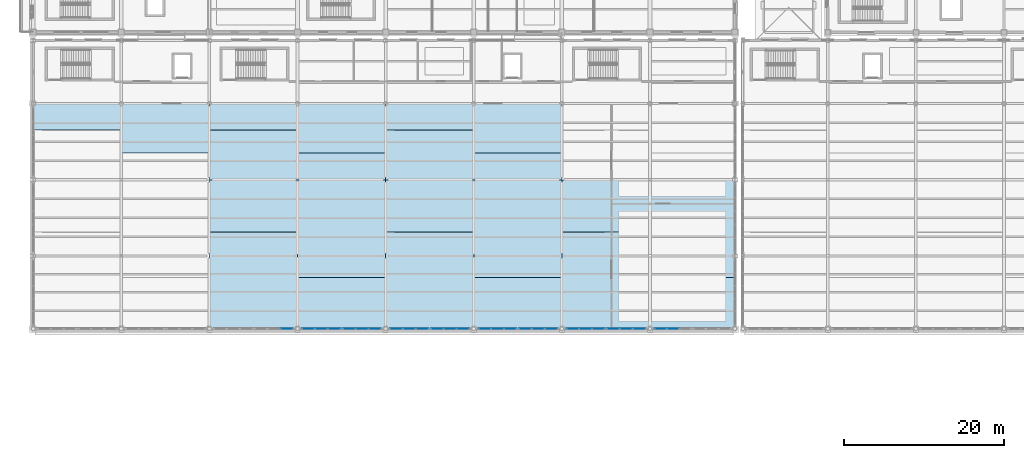
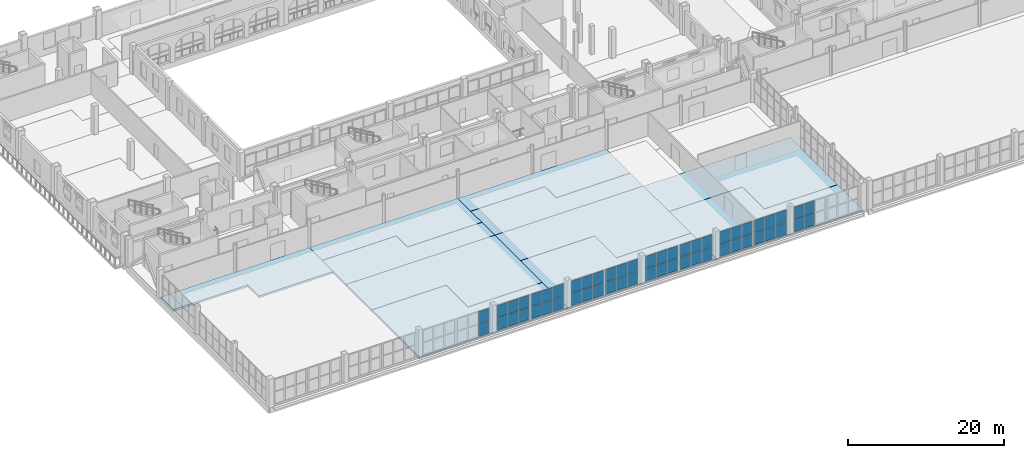
# One storey, part 102 of 156: 54 plates, 11 slabs, 10 elements without a shape of their own.
"""IFC4 building model written with IfcOpenShell, lengths in metres."""

from ifc_helpers import new_model, si_unit, direction, frame, origin, origin_2d, place, context, subcontext, project, spatial, polyline, rectangle, outline, extrude, material, layer, layer_set, type_object, element, aggregate, save


model = new_model("IFC4")

# Units and contexts
model_context = context("Model", 3, precision=1e-05, world=origin(), true_north=direction((0.0, 1.0)))
body_context = subcontext(model_context, "Body", "Model", "MODEL_VIEW")
ifc_project = project(units=[si_unit("LENGTHUNIT", "METRE"), si_unit("AREAUNIT", "SQUARE_METRE"), si_unit("VOLUMEUNIT", "CUBIC_METRE"), si_unit("PLANEANGLEUNIT", "RADIAN"), si_unit("MASSUNIT", "GRAM", prefix="KILO")], contexts=[model_context])

# Site, building, storey
site_placement = place(None, origin())
site = spatial("IfcSite", under=ifc_project, at=site_placement, CompositionType="ELEMENT")
building_placement = place(site_placement, origin())
building = spatial("IfcBuilding", under=site, at=building_placement, Name="Caurita Quay Ferry Terminal", CompositionType="ELEMENT")
storey_placement = place(building_placement, frame((0.0, 0.0, 5.39990234375)))
storey = spatial("IfcBuildingStorey", under=building, at=storey_placement, Name="L01", CompositionType="ELEMENT", Elevation=5.39990234375)

# Curtain wall, plates
ifc_material_1 = material(Name="Laminated solar-control insulated glass", Category="glass")
curtain_wall_type_1 = type_object("IfcCurtainWallType", Name="CW-SYS-08", PredefinedType="NOTDEFINED", material=ifc_material_1)
curtain_wall_1_placement = place(storey_placement, origin())
curtain_wall_1 = element("IfcCurtainWall", 1, at=curtain_wall_1_placement, inside=storey, type_object=curtain_wall_type_1, Name="V1 Waterside Concourse Curtain Wall 054", PredefinedType="NOTDEFINED")
ifc_layer_1 = layer(ifc_material_1, 0.028076171875, Name="Laminated low-e hurricane-rated glazing unit 28 mm")
ifc_layer_set_1 = layer_set([ifc_layer_1], Name="Laminated solar-control insulated glass")
plate_type = type_object("IfcPlateType", Name="CW-PNL-28", PredefinedType="CURTAIN_PANEL", material=ifc_layer_set_1)
plate_1_placement = place(storey_placement, frame((31.64794921875, 34.60009765625, 0.06298828125), z_axis=(0.0, 0.0, 1.0), x_axis=(1.0, 0.0, 0.0)))
plate_1 = element("IfcPlate", 2, at=plate_1_placement, type_object=plate_type, Name="CW-SEA-054 Glazing Panel 5", PredefinedType="CURTAIN_PANEL", context=body_context, shape_type="SweptSolid", body=[
    extrude(rectangle(XDim=1.518310546875, YDim=0.028076171875, at=origin_2d()), origin(), (0.0, 0.0, 1.0), 1.8916015625),
])
plate_2_placement = place(storey_placement, frame((31.64794921875, 34.60009765625, 2.015625), z_axis=(0.0, 0.0, 1.0), x_axis=(1.0, 0.0, 0.0)))
plate_2 = element("IfcPlate", 3, at=plate_2_placement, type_object=plate_type, Name="CW-SEA-054 Glazing Panel 6", PredefinedType="CURTAIN_PANEL", context=body_context, shape_type="SweptSolid", body=[
    extrude(rectangle(XDim=1.518310546875, YDim=0.028076171875, at=origin_2d()), origin(), (0.0, 0.0, 1.0), 1.8916015625),
])
aggregate(curtain_wall_1, [plate_1, plate_2])

curtain_wall_2_placement = place(storey_placement, origin())
curtain_wall_2 = element("IfcCurtainWall", 4, at=curtain_wall_2_placement, inside=storey, type_object=curtain_wall_type_1, Name="V1 Waterside Concourse Curtain Wall 055", PredefinedType="NOTDEFINED")
plate_3_placement = place(storey_placement, frame((34.35205078125, 34.60009765625, 0.06298828125), z_axis=(0.0, 0.0, 1.0), x_axis=(1.0, 0.0, 0.0)))
plate_3 = element("IfcPlate", 5, at=plate_3_placement, type_object=plate_type, Name="CW-SEA-055 Glazing Panel 1", PredefinedType="CURTAIN_PANEL", context=body_context, shape_type="SweptSolid", body=[
    extrude(rectangle(XDim=1.518310546875, YDim=0.028076171875, at=origin_2d()), origin(), (0.0, 0.0, 1.0), 1.8916015625),
])
plate_4_placement = place(storey_placement, frame((34.35205078125, 34.60009765625, 2.015625), z_axis=(0.0, 0.0, 1.0), x_axis=(1.0, 0.0, 0.0)))
plate_4 = element("IfcPlate", 6, at=plate_4_placement, type_object=plate_type, Name="CW-SEA-055 Glazing Panel 2", PredefinedType="CURTAIN_PANEL", context=body_context, shape_type="SweptSolid", body=[
    extrude(rectangle(XDim=1.518310546875, YDim=0.028076171875, at=origin_2d()), origin(), (0.0, 0.0, 1.0), 1.8916015625),
])
plate_5_placement = place(storey_placement, frame((35.9599609375, 34.60009765625, 0.06298828125), z_axis=(0.0, 0.0, 1.0), x_axis=(1.0, 0.0, 0.0)))
plate_5 = element("IfcPlate", 7, at=plate_5_placement, type_object=plate_type, Name="CW-SEA-055 Glazing Panel 3", PredefinedType="CURTAIN_PANEL", context=body_context, shape_type="SweptSolid", body=[
    extrude(rectangle(XDim=1.5556640625, YDim=0.028076171875, at=origin_2d()), origin(), (0.0, 0.0, 1.0), 1.8916015625),
])
plate_6_placement = place(storey_placement, frame((35.9599609375, 34.60009765625, 2.015625), z_axis=(0.0, 0.0, 1.0), x_axis=(1.0, 0.0, 0.0)))
plate_6 = element("IfcPlate", 8, at=plate_6_placement, type_object=plate_type, Name="CW-SEA-055 Glazing Panel 4", PredefinedType="CURTAIN_PANEL", context=body_context, shape_type="SweptSolid", body=[
    extrude(rectangle(XDim=1.5556640625, YDim=0.028076171875, at=origin_2d()), origin(), (0.0, 0.0, 1.0), 1.8916015625),
])
plate_7_placement = place(storey_placement, frame((37.56787109375, 34.60009765625, 0.06298828125), z_axis=(0.0, 0.0, 1.0), x_axis=(1.0, 0.0, 0.0)))
plate_7 = element("IfcPlate", 9, at=plate_7_placement, type_object=plate_type, Name="CW-SEA-055 Glazing Panel 5", PredefinedType="CURTAIN_PANEL", context=body_context, shape_type="SweptSolid", body=[
    extrude(rectangle(XDim=1.518310546875, YDim=0.028076171875, at=origin_2d()), origin(), (0.0, 0.0, 1.0), 1.8916015625),
])
plate_8_placement = place(storey_placement, frame((37.56787109375, 34.60009765625, 2.015625), z_axis=(0.0, 0.0, 1.0), x_axis=(1.0, 0.0, 0.0)))
plate_8 = element("IfcPlate", 10, at=plate_8_placement, type_object=plate_type, Name="CW-SEA-055 Glazing Panel 6", PredefinedType="CURTAIN_PANEL", context=body_context, shape_type="SweptSolid", body=[
    extrude(rectangle(XDim=1.518310546875, YDim=0.028076171875, at=origin_2d()), origin(), (0.0, 0.0, 1.0), 1.8916015625),
])
aggregate(curtain_wall_2, [plate_3, plate_4, plate_5, plate_6, plate_7, plate_8])

curtain_wall_3_placement = place(storey_placement, origin())
curtain_wall_3 = element("IfcCurtainWall", 11, at=curtain_wall_3_placement, inside=storey, type_object=curtain_wall_type_1, Name="V1 Waterside Concourse Curtain Wall 056", PredefinedType="NOTDEFINED")
plate_9_placement = place(storey_placement, frame((39.43212890625, 34.60009765625, 0.06298828125), z_axis=(0.0, 0.0, 1.0), x_axis=(1.0, 0.0, 0.0)))
plate_9 = element("IfcPlate", 12, at=plate_9_placement, type_object=plate_type, Name="CW-SEA-056 Glazing Panel 1", PredefinedType="CURTAIN_PANEL", context=body_context, shape_type="SweptSolid", body=[
    extrude(rectangle(XDim=1.518310546875, YDim=0.028076171875, at=origin_2d()), origin(), (0.0, 0.0, 1.0), 1.8916015625),
])
plate_10_placement = place(storey_placement, frame((39.43212890625, 34.60009765625, 2.015625), z_axis=(0.0, 0.0, 1.0), x_axis=(1.0, 0.0, 0.0)))
plate_10 = element("IfcPlate", 13, at=plate_10_placement, type_object=plate_type, Name="CW-SEA-056 Glazing Panel 2", PredefinedType="CURTAIN_PANEL", context=body_context, shape_type="SweptSolid", body=[
    extrude(rectangle(XDim=1.518310546875, YDim=0.028076171875, at=origin_2d()), origin(), (0.0, 0.0, 1.0), 1.8916015625),
])
plate_11_placement = place(storey_placement, frame((41.0400390625, 34.60009765625, 0.06298828125), z_axis=(0.0, 0.0, 1.0), x_axis=(1.0, 0.0, 0.0)))
plate_11 = element("IfcPlate", 14, at=plate_11_placement, type_object=plate_type, Name="CW-SEA-056 Glazing Panel 3", PredefinedType="CURTAIN_PANEL", context=body_context, shape_type="SweptSolid", body=[
    extrude(rectangle(XDim=1.5556640625, YDim=0.028076171875, at=origin_2d()), origin(), (0.0, 0.0, 1.0), 1.8916015625),
])
plate_12_placement = place(storey_placement, frame((41.0400390625, 34.60009765625, 2.015625), z_axis=(0.0, 0.0, 1.0), x_axis=(1.0, 0.0, 0.0)))
plate_12 = element("IfcPlate", 15, at=plate_12_placement, type_object=plate_type, Name="CW-SEA-056 Glazing Panel 4", PredefinedType="CURTAIN_PANEL", context=body_context, shape_type="SweptSolid", body=[
    extrude(rectangle(XDim=1.5556640625, YDim=0.028076171875, at=origin_2d()), origin(), (0.0, 0.0, 1.0), 1.8916015625),
])
plate_13_placement = place(storey_placement, frame((42.64794921875, 34.60009765625, 0.06298828125), z_axis=(0.0, 0.0, 1.0), x_axis=(1.0, 0.0, 0.0)))
plate_13 = element("IfcPlate", 16, at=plate_13_placement, type_object=plate_type, Name="CW-SEA-056 Glazing Panel 5", PredefinedType="CURTAIN_PANEL", context=body_context, shape_type="SweptSolid", body=[
    extrude(rectangle(XDim=1.518310546875, YDim=0.028076171875, at=origin_2d()), origin(), (0.0, 0.0, 1.0), 1.8916015625),
])
plate_14_placement = place(storey_placement, frame((42.64794921875, 34.60009765625, 2.015625), z_axis=(0.0, 0.0, 1.0), x_axis=(1.0, 0.0, 0.0)))
plate_14 = element("IfcPlate", 17, at=plate_14_placement, type_object=plate_type, Name="CW-SEA-056 Glazing Panel 6", PredefinedType="CURTAIN_PANEL", context=body_context, shape_type="SweptSolid", body=[
    extrude(rectangle(XDim=1.518310546875, YDim=0.028076171875, at=origin_2d()), origin(), (0.0, 0.0, 1.0), 1.8916015625),
])
aggregate(curtain_wall_3, [plate_9, plate_10, plate_11, plate_12, plate_13, plate_14])

curtain_wall_4_placement = place(storey_placement, origin())
curtain_wall_4 = element("IfcCurtainWall", 18, at=curtain_wall_4_placement, inside=storey, type_object=curtain_wall_type_1, Name="V1 Waterside Concourse Curtain Wall 057", PredefinedType="NOTDEFINED")
plate_15_placement = place(storey_placement, frame((45.35205078125, 34.60009765625, 0.06298828125), z_axis=(0.0, 0.0, 1.0), x_axis=(1.0, 0.0, 0.0)))
plate_15 = element("IfcPlate", 19, at=plate_15_placement, type_object=plate_type, Name="CW-SEA-057 Glazing Panel 1", PredefinedType="CURTAIN_PANEL", context=body_context, shape_type="SweptSolid", body=[
    extrude(rectangle(XDim=1.518310546875, YDim=0.028076171875, at=origin_2d()), origin(), (0.0, 0.0, 1.0), 1.8916015625),
])
plate_16_placement = place(storey_placement, frame((45.35205078125, 34.60009765625, 2.015625), z_axis=(0.0, 0.0, 1.0), x_axis=(1.0, 0.0, 0.0)))
plate_16 = element("IfcPlate", 20, at=plate_16_placement, type_object=plate_type, Name="CW-SEA-057 Glazing Panel 2", PredefinedType="CURTAIN_PANEL", context=body_context, shape_type="SweptSolid", body=[
    extrude(rectangle(XDim=1.518310546875, YDim=0.028076171875, at=origin_2d()), origin(), (0.0, 0.0, 1.0), 1.8916015625),
])
plate_17_placement = place(storey_placement, frame((46.9599609375, 34.60009765625, 0.06298828125), z_axis=(0.0, 0.0, 1.0), x_axis=(1.0, 0.0, 0.0)))
plate_17 = element("IfcPlate", 21, at=plate_17_placement, type_object=plate_type, Name="CW-SEA-057 Glazing Panel 3", PredefinedType="CURTAIN_PANEL", context=body_context, shape_type="SweptSolid", body=[
    extrude(rectangle(XDim=1.5556640625, YDim=0.028076171875, at=origin_2d()), origin(), (0.0, 0.0, 1.0), 1.8916015625),
])
plate_18_placement = place(storey_placement, frame((46.9599609375, 34.60009765625, 2.015625), z_axis=(0.0, 0.0, 1.0), x_axis=(1.0, 0.0, 0.0)))
plate_18 = element("IfcPlate", 22, at=plate_18_placement, type_object=plate_type, Name="CW-SEA-057 Glazing Panel 4", PredefinedType="CURTAIN_PANEL", context=body_context, shape_type="SweptSolid", body=[
    extrude(rectangle(XDim=1.5556640625, YDim=0.028076171875, at=origin_2d()), origin(), (0.0, 0.0, 1.0), 1.8916015625),
])
plate_19_placement = place(storey_placement, frame((48.56787109375, 34.60009765625, 0.06298828125), z_axis=(0.0, 0.0, 1.0), x_axis=(1.0, 0.0, 0.0)))
plate_19 = element("IfcPlate", 23, at=plate_19_placement, type_object=plate_type, Name="CW-SEA-057 Glazing Panel 5", PredefinedType="CURTAIN_PANEL", context=body_context, shape_type="SweptSolid", body=[
    extrude(rectangle(XDim=1.518310546875, YDim=0.028076171875, at=origin_2d()), origin(), (0.0, 0.0, 1.0), 1.8916015625),
])
plate_20_placement = place(storey_placement, frame((48.56787109375, 34.60009765625, 2.015625), z_axis=(0.0, 0.0, 1.0), x_axis=(1.0, 0.0, 0.0)))
plate_20 = element("IfcPlate", 24, at=plate_20_placement, type_object=plate_type, Name="CW-SEA-057 Glazing Panel 6", PredefinedType="CURTAIN_PANEL", context=body_context, shape_type="SweptSolid", body=[
    extrude(rectangle(XDim=1.518310546875, YDim=0.028076171875, at=origin_2d()), origin(), (0.0, 0.0, 1.0), 1.8916015625),
])
aggregate(curtain_wall_4, [plate_15, plate_16, plate_17, plate_18, plate_19, plate_20])

curtain_wall_5_placement = place(storey_placement, origin())
curtain_wall_5 = element("IfcCurtainWall", 25, at=curtain_wall_5_placement, inside=storey, type_object=curtain_wall_type_1, Name="V1 Waterside Concourse Curtain Wall 058", PredefinedType="NOTDEFINED")
plate_21_placement = place(storey_placement, frame((50.43212890625, 34.60009765625, 0.06298828125), z_axis=(0.0, 0.0, 1.0), x_axis=(1.0, 0.0, 0.0)))
plate_21 = element("IfcPlate", 26, at=plate_21_placement, type_object=plate_type, Name="CW-SEA-058 Glazing Panel 1", PredefinedType="CURTAIN_PANEL", context=body_context, shape_type="SweptSolid", body=[
    extrude(rectangle(XDim=1.518310546875, YDim=0.028076171875, at=origin_2d()), origin(), (0.0, 0.0, 1.0), 1.8916015625),
])
plate_22_placement = place(storey_placement, frame((50.43212890625, 34.60009765625, 2.015625), z_axis=(0.0, 0.0, 1.0), x_axis=(1.0, 0.0, 0.0)))
plate_22 = element("IfcPlate", 27, at=plate_22_placement, type_object=plate_type, Name="CW-SEA-058 Glazing Panel 2", PredefinedType="CURTAIN_PANEL", context=body_context, shape_type="SweptSolid", body=[
    extrude(rectangle(XDim=1.518310546875, YDim=0.028076171875, at=origin_2d()), origin(), (0.0, 0.0, 1.0), 1.8916015625),
])
plate_23_placement = place(storey_placement, frame((52.0400390625, 34.60009765625, 0.06298828125), z_axis=(0.0, 0.0, 1.0), x_axis=(1.0, 0.0, 0.0)))
plate_23 = element("IfcPlate", 28, at=plate_23_placement, type_object=plate_type, Name="CW-SEA-058 Glazing Panel 3", PredefinedType="CURTAIN_PANEL", context=body_context, shape_type="SweptSolid", body=[
    extrude(rectangle(XDim=1.5556640625, YDim=0.028076171875, at=origin_2d()), origin(), (0.0, 0.0, 1.0), 1.8916015625),
])
plate_24_placement = place(storey_placement, frame((52.0400390625, 34.60009765625, 2.015625), z_axis=(0.0, 0.0, 1.0), x_axis=(1.0, 0.0, 0.0)))
plate_24 = element("IfcPlate", 29, at=plate_24_placement, type_object=plate_type, Name="CW-SEA-058 Glazing Panel 4", PredefinedType="CURTAIN_PANEL", context=body_context, shape_type="SweptSolid", body=[
    extrude(rectangle(XDim=1.5556640625, YDim=0.028076171875, at=origin_2d()), origin(), (0.0, 0.0, 1.0), 1.8916015625),
])
plate_25_placement = place(storey_placement, frame((53.64794921875, 34.60009765625, 0.06298828125), z_axis=(0.0, 0.0, 1.0), x_axis=(1.0, 0.0, 0.0)))
plate_25 = element("IfcPlate", 30, at=plate_25_placement, type_object=plate_type, Name="CW-SEA-058 Glazing Panel 5", PredefinedType="CURTAIN_PANEL", context=body_context, shape_type="SweptSolid", body=[
    extrude(rectangle(XDim=1.518310546875, YDim=0.028076171875, at=origin_2d()), origin(), (0.0, 0.0, 1.0), 1.8916015625),
])
plate_26_placement = place(storey_placement, frame((53.64794921875, 34.60009765625, 2.015625), z_axis=(0.0, 0.0, 1.0), x_axis=(1.0, 0.0, 0.0)))
plate_26 = element("IfcPlate", 31, at=plate_26_placement, type_object=plate_type, Name="CW-SEA-058 Glazing Panel 6", PredefinedType="CURTAIN_PANEL", context=body_context, shape_type="SweptSolid", body=[
    extrude(rectangle(XDim=1.518310546875, YDim=0.028076171875, at=origin_2d()), origin(), (0.0, 0.0, 1.0), 1.8916015625),
])
aggregate(curtain_wall_5, [plate_21, plate_22, plate_23, plate_24, plate_25, plate_26])

curtain_wall_6_placement = place(storey_placement, origin())
curtain_wall_6 = element("IfcCurtainWall", 32, at=curtain_wall_6_placement, inside=storey, type_object=curtain_wall_type_1, Name="V1 Waterside Concourse Curtain Wall 059", PredefinedType="NOTDEFINED")
plate_27_placement = place(storey_placement, frame((56.35205078125, 34.60009765625, 0.06298828125), z_axis=(0.0, 0.0, 1.0), x_axis=(1.0, 0.0, 0.0)))
plate_27 = element("IfcPlate", 33, at=plate_27_placement, type_object=plate_type, Name="CW-SEA-059 Glazing Panel 1", PredefinedType="CURTAIN_PANEL", context=body_context, shape_type="SweptSolid", body=[
    extrude(rectangle(XDim=1.518310546875, YDim=0.028076171875, at=origin_2d()), origin(), (0.0, 0.0, 1.0), 1.8916015625),
])
plate_28_placement = place(storey_placement, frame((56.35205078125, 34.60009765625, 2.015625), z_axis=(0.0, 0.0, 1.0), x_axis=(1.0, 0.0, 0.0)))
plate_28 = element("IfcPlate", 34, at=plate_28_placement, type_object=plate_type, Name="CW-SEA-059 Glazing Panel 2", PredefinedType="CURTAIN_PANEL", context=body_context, shape_type="SweptSolid", body=[
    extrude(rectangle(XDim=1.518310546875, YDim=0.028076171875, at=origin_2d()), origin(), (0.0, 0.0, 1.0), 1.8916015625),
])
plate_29_placement = place(storey_placement, frame((57.9599609375, 34.60009765625, 0.06298828125), z_axis=(0.0, 0.0, 1.0), x_axis=(1.0, 0.0, 0.0)))
plate_29 = element("IfcPlate", 35, at=plate_29_placement, type_object=plate_type, Name="CW-SEA-059 Glazing Panel 3", PredefinedType="CURTAIN_PANEL", context=body_context, shape_type="SweptSolid", body=[
    extrude(rectangle(XDim=1.5556640625, YDim=0.028076171875, at=origin_2d()), origin(), (0.0, 0.0, 1.0), 1.8916015625),
])
plate_30_placement = place(storey_placement, frame((57.9599609375, 34.60009765625, 2.015625), z_axis=(0.0, 0.0, 1.0), x_axis=(1.0, 0.0, 0.0)))
plate_30 = element("IfcPlate", 36, at=plate_30_placement, type_object=plate_type, Name="CW-SEA-059 Glazing Panel 4", PredefinedType="CURTAIN_PANEL", context=body_context, shape_type="SweptSolid", body=[
    extrude(rectangle(XDim=1.5556640625, YDim=0.028076171875, at=origin_2d()), origin(), (0.0, 0.0, 1.0), 1.8916015625),
])
plate_31_placement = place(storey_placement, frame((59.56787109375, 34.60009765625, 0.06298828125), z_axis=(0.0, 0.0, 1.0), x_axis=(1.0, 0.0, 0.0)))
plate_31 = element("IfcPlate", 37, at=plate_31_placement, type_object=plate_type, Name="CW-SEA-059 Glazing Panel 5", PredefinedType="CURTAIN_PANEL", context=body_context, shape_type="SweptSolid", body=[
    extrude(rectangle(XDim=1.518310546875, YDim=0.028076171875, at=origin_2d()), origin(), (0.0, 0.0, 1.0), 1.8916015625),
])
plate_32_placement = place(storey_placement, frame((59.56787109375, 34.60009765625, 2.015625), z_axis=(0.0, 0.0, 1.0), x_axis=(1.0, 0.0, 0.0)))
plate_32 = element("IfcPlate", 38, at=plate_32_placement, type_object=plate_type, Name="CW-SEA-059 Glazing Panel 6", PredefinedType="CURTAIN_PANEL", context=body_context, shape_type="SweptSolid", body=[
    extrude(rectangle(XDim=1.518310546875, YDim=0.028076171875, at=origin_2d()), origin(), (0.0, 0.0, 1.0), 1.8916015625),
])
aggregate(curtain_wall_6, [plate_27, plate_28, plate_29, plate_30, plate_31, plate_32])

curtain_wall_7_placement = place(storey_placement, origin())
curtain_wall_7 = element("IfcCurtainWall", 39, at=curtain_wall_7_placement, inside=storey, type_object=curtain_wall_type_1, Name="V1 Waterside Concourse Curtain Wall 060", PredefinedType="NOTDEFINED")
plate_33_placement = place(storey_placement, frame((61.43212890625, 34.60009765625, 0.06298828125), z_axis=(0.0, 0.0, 1.0), x_axis=(1.0, 0.0, 0.0)))
plate_33 = element("IfcPlate", 40, at=plate_33_placement, type_object=plate_type, Name="CW-SEA-060 Glazing Panel 1", PredefinedType="CURTAIN_PANEL", context=body_context, shape_type="SweptSolid", body=[
    extrude(rectangle(XDim=1.518310546875, YDim=0.028076171875, at=origin_2d()), origin(), (0.0, 0.0, 1.0), 1.8916015625),
])
plate_34_placement = place(storey_placement, frame((61.43212890625, 34.60009765625, 2.015625), z_axis=(0.0, 0.0, 1.0), x_axis=(1.0, 0.0, 0.0)))
plate_34 = element("IfcPlate", 41, at=plate_34_placement, type_object=plate_type, Name="CW-SEA-060 Glazing Panel 2", PredefinedType="CURTAIN_PANEL", context=body_context, shape_type="SweptSolid", body=[
    extrude(rectangle(XDim=1.518310546875, YDim=0.028076171875, at=origin_2d()), origin(), (0.0, 0.0, 1.0), 1.8916015625),
])
plate_35_placement = place(storey_placement, frame((63.0400390625, 34.60009765625, 0.06298828125), z_axis=(0.0, 0.0, 1.0), x_axis=(1.0, 0.0, 0.0)))
plate_35 = element("IfcPlate", 42, at=plate_35_placement, type_object=plate_type, Name="CW-SEA-060 Glazing Panel 3", PredefinedType="CURTAIN_PANEL", context=body_context, shape_type="SweptSolid", body=[
    extrude(rectangle(XDim=1.5556640625, YDim=0.028076171875, at=origin_2d()), origin(), (0.0, 0.0, 1.0), 1.8916015625),
])
plate_36_placement = place(storey_placement, frame((63.0400390625, 34.60009765625, 2.015625), z_axis=(0.0, 0.0, 1.0), x_axis=(1.0, 0.0, 0.0)))
plate_36 = element("IfcPlate", 43, at=plate_36_placement, type_object=plate_type, Name="CW-SEA-060 Glazing Panel 4", PredefinedType="CURTAIN_PANEL", context=body_context, shape_type="SweptSolid", body=[
    extrude(rectangle(XDim=1.5556640625, YDim=0.028076171875, at=origin_2d()), origin(), (0.0, 0.0, 1.0), 1.8916015625),
])
plate_37_placement = place(storey_placement, frame((64.64794921875, 34.60009765625, 0.06298828125), z_axis=(0.0, 0.0, 1.0), x_axis=(1.0, 0.0, 0.0)))
plate_37 = element("IfcPlate", 44, at=plate_37_placement, type_object=plate_type, Name="CW-SEA-060 Glazing Panel 5", PredefinedType="CURTAIN_PANEL", context=body_context, shape_type="SweptSolid", body=[
    extrude(rectangle(XDim=1.518310546875, YDim=0.028076171875, at=origin_2d()), origin(), (0.0, 0.0, 1.0), 1.8916015625),
])
plate_38_placement = place(storey_placement, frame((64.64794921875, 34.60009765625, 2.015625), z_axis=(0.0, 0.0, 1.0), x_axis=(1.0, 0.0, 0.0)))
plate_38 = element("IfcPlate", 45, at=plate_38_placement, type_object=plate_type, Name="CW-SEA-060 Glazing Panel 6", PredefinedType="CURTAIN_PANEL", context=body_context, shape_type="SweptSolid", body=[
    extrude(rectangle(XDim=1.518310546875, YDim=0.028076171875, at=origin_2d()), origin(), (0.0, 0.0, 1.0), 1.8916015625),
])
aggregate(curtain_wall_7, [plate_33, plate_34, plate_35, plate_36, plate_37, plate_38])

curtain_wall_8_placement = place(storey_placement, origin())
curtain_wall_8 = element("IfcCurtainWall", 46, at=curtain_wall_8_placement, inside=storey, type_object=curtain_wall_type_1, Name="V1 Waterside Concourse Curtain Wall 061", PredefinedType="NOTDEFINED")
plate_39_placement = place(storey_placement, frame((67.35205078125, 34.60009765625, 0.06298828125), z_axis=(0.0, 0.0, 1.0), x_axis=(1.0, 0.0, 0.0)))
plate_39 = element("IfcPlate", 47, at=plate_39_placement, type_object=plate_type, Name="CW-SEA-061 Glazing Panel 1", PredefinedType="CURTAIN_PANEL", context=body_context, shape_type="SweptSolid", body=[
    extrude(rectangle(XDim=1.518310546875, YDim=0.028076171875, at=origin_2d()), origin(), (0.0, 0.0, 1.0), 1.8916015625),
])
plate_40_placement = place(storey_placement, frame((67.35205078125, 34.60009765625, 2.015625), z_axis=(0.0, 0.0, 1.0), x_axis=(1.0, 0.0, 0.0)))
plate_40 = element("IfcPlate", 48, at=plate_40_placement, type_object=plate_type, Name="CW-SEA-061 Glazing Panel 2", PredefinedType="CURTAIN_PANEL", context=body_context, shape_type="SweptSolid", body=[
    extrude(rectangle(XDim=1.518310546875, YDim=0.028076171875, at=origin_2d()), origin(), (0.0, 0.0, 1.0), 1.8916015625),
])
plate_41_placement = place(storey_placement, frame((68.9599609375, 34.60009765625, 0.06298828125), z_axis=(0.0, 0.0, 1.0), x_axis=(1.0, 0.0, 0.0)))
plate_41 = element("IfcPlate", 49, at=plate_41_placement, type_object=plate_type, Name="CW-SEA-061 Glazing Panel 3", PredefinedType="CURTAIN_PANEL", context=body_context, shape_type="SweptSolid", body=[
    extrude(rectangle(XDim=1.5556640625, YDim=0.028076171875, at=origin_2d()), origin(), (0.0, 0.0, 1.0), 1.8916015625),
])
plate_42_placement = place(storey_placement, frame((68.9599609375, 34.60009765625, 2.015625), z_axis=(0.0, 0.0, 1.0), x_axis=(1.0, 0.0, 0.0)))
plate_42 = element("IfcPlate", 50, at=plate_42_placement, type_object=plate_type, Name="CW-SEA-061 Glazing Panel 4", PredefinedType="CURTAIN_PANEL", context=body_context, shape_type="SweptSolid", body=[
    extrude(rectangle(XDim=1.5556640625, YDim=0.028076171875, at=origin_2d()), origin(), (0.0, 0.0, 1.0), 1.8916015625),
])
plate_43_placement = place(storey_placement, frame((70.56787109375, 34.60009765625, 0.06298828125), z_axis=(0.0, 0.0, 1.0), x_axis=(1.0, 0.0, 0.0)))
plate_43 = element("IfcPlate", 51, at=plate_43_placement, type_object=plate_type, Name="CW-SEA-061 Glazing Panel 5", PredefinedType="CURTAIN_PANEL", context=body_context, shape_type="SweptSolid", body=[
    extrude(rectangle(XDim=1.518310546875, YDim=0.028076171875, at=origin_2d()), origin(), (0.0, 0.0, 1.0), 1.8916015625),
])
plate_44_placement = place(storey_placement, frame((70.56787109375, 34.60009765625, 2.015625), z_axis=(0.0, 0.0, 1.0), x_axis=(1.0, 0.0, 0.0)))
plate_44 = element("IfcPlate", 52, at=plate_44_placement, type_object=plate_type, Name="CW-SEA-061 Glazing Panel 6", PredefinedType="CURTAIN_PANEL", context=body_context, shape_type="SweptSolid", body=[
    extrude(rectangle(XDim=1.518310546875, YDim=0.028076171875, at=origin_2d()), origin(), (0.0, 0.0, 1.0), 1.8916015625),
])
aggregate(curtain_wall_8, [plate_39, plate_40, plate_41, plate_42, plate_43, plate_44])

curtain_wall_9_placement = place(storey_placement, origin())
curtain_wall_9 = element("IfcCurtainWall", 53, at=curtain_wall_9_placement, inside=storey, type_object=curtain_wall_type_1, Name="V1 Waterside Concourse Curtain Wall 062", PredefinedType="NOTDEFINED")
plate_45_placement = place(storey_placement, frame((72.43212890625, 34.60009765625, 0.06298828125), z_axis=(0.0, 0.0, 1.0), x_axis=(1.0, 0.0, 0.0)))
plate_45 = element("IfcPlate", 54, at=plate_45_placement, type_object=plate_type, Name="CW-SEA-062 Glazing Panel 1", PredefinedType="CURTAIN_PANEL", context=body_context, shape_type="SweptSolid", body=[
    extrude(rectangle(XDim=1.518310546875, YDim=0.028076171875, at=origin_2d()), origin(), (0.0, 0.0, 1.0), 1.8916015625),
])
plate_46_placement = place(storey_placement, frame((72.43212890625, 34.60009765625, 2.015625), z_axis=(0.0, 0.0, 1.0), x_axis=(1.0, 0.0, 0.0)))
plate_46 = element("IfcPlate", 55, at=plate_46_placement, type_object=plate_type, Name="CW-SEA-062 Glazing Panel 2", PredefinedType="CURTAIN_PANEL", context=body_context, shape_type="SweptSolid", body=[
    extrude(rectangle(XDim=1.518310546875, YDim=0.028076171875, at=origin_2d()), origin(), (0.0, 0.0, 1.0), 1.8916015625),
])
plate_47_placement = place(storey_placement, frame((74.0400390625, 34.60009765625, 0.06298828125), z_axis=(0.0, 0.0, 1.0), x_axis=(1.0, 0.0, 0.0)))
plate_47 = element("IfcPlate", 56, at=plate_47_placement, type_object=plate_type, Name="CW-SEA-062 Glazing Panel 3", PredefinedType="CURTAIN_PANEL", context=body_context, shape_type="SweptSolid", body=[
    extrude(rectangle(XDim=1.5556640625, YDim=0.028076171875, at=origin_2d()), origin(), (0.0, 0.0, 1.0), 1.8916015625),
])
plate_48_placement = place(storey_placement, frame((74.0400390625, 34.60009765625, 2.015625), z_axis=(0.0, 0.0, 1.0), x_axis=(1.0, 0.0, 0.0)))
plate_48 = element("IfcPlate", 57, at=plate_48_placement, type_object=plate_type, Name="CW-SEA-062 Glazing Panel 4", PredefinedType="CURTAIN_PANEL", context=body_context, shape_type="SweptSolid", body=[
    extrude(rectangle(XDim=1.5556640625, YDim=0.028076171875, at=origin_2d()), origin(), (0.0, 0.0, 1.0), 1.8916015625),
])
plate_49_placement = place(storey_placement, frame((75.64794921875, 34.60009765625, 0.06298828125), z_axis=(0.0, 0.0, 1.0), x_axis=(1.0, 0.0, 0.0)))
plate_49 = element("IfcPlate", 58, at=plate_49_placement, type_object=plate_type, Name="CW-SEA-062 Glazing Panel 5", PredefinedType="CURTAIN_PANEL", context=body_context, shape_type="SweptSolid", body=[
    extrude(rectangle(XDim=1.518310546875, YDim=0.028076171875, at=origin_2d()), origin(), (0.0, 0.0, 1.0), 1.8916015625),
])
plate_50_placement = place(storey_placement, frame((75.64794921875, 34.60009765625, 2.015625), z_axis=(0.0, 0.0, 1.0), x_axis=(1.0, 0.0, 0.0)))
plate_50 = element("IfcPlate", 59, at=plate_50_placement, type_object=plate_type, Name="CW-SEA-062 Glazing Panel 6", PredefinedType="CURTAIN_PANEL", context=body_context, shape_type="SweptSolid", body=[
    extrude(rectangle(XDim=1.518310546875, YDim=0.028076171875, at=origin_2d()), origin(), (0.0, 0.0, 1.0), 1.8916015625),
])
aggregate(curtain_wall_9, [plate_45, plate_46, plate_47, plate_48, plate_49, plate_50])

curtain_wall_type_2 = type_object("IfcCurtainWallType", Name="CW-SYS-09", PredefinedType="NOTDEFINED", material=ifc_material_1)
curtain_wall_10_placement = place(storey_placement, origin())
curtain_wall_10 = element("IfcCurtainWall", 60, at=curtain_wall_10_placement, inside=storey, type_object=curtain_wall_type_2, Name="V1 Waterside Concourse Curtain Wall 063", PredefinedType="NOTDEFINED")
plate_51_placement = place(storey_placement, frame((78.318603515625, 34.60009765625, 0.06298828125), z_axis=(0.0, 0.0, 1.0), x_axis=(1.0, 0.0, 0.0)))
plate_51 = element("IfcPlate", 61, at=plate_51_placement, type_object=plate_type, Name="CW-SEA-063 Glazing Panel 1", PredefinedType="CURTAIN_PANEL", context=body_context, shape_type="SweptSolid", body=[
    extrude(rectangle(XDim=1.451416015625, YDim=0.028076171875, at=origin_2d()), origin(), (0.0, 0.0, 1.0), 1.8916015625),
])
plate_52_placement = place(storey_placement, frame((78.318603515625, 34.60009765625, 2.015625), z_axis=(0.0, 0.0, 1.0), x_axis=(1.0, 0.0, 0.0)))
plate_52 = element("IfcPlate", 62, at=plate_52_placement, type_object=plate_type, Name="CW-SEA-063 Glazing Panel 2", PredefinedType="CURTAIN_PANEL", context=body_context, shape_type="SweptSolid", body=[
    extrude(rectangle(XDim=1.451416015625, YDim=0.028076171875, at=origin_2d()), origin(), (0.0, 0.0, 1.0), 1.8916015625),
])
plate_53_placement = place(storey_placement, frame((79.860107421875, 34.60009765625, 0.06298828125), z_axis=(0.0, 0.0, 1.0), x_axis=(1.0, 0.0, 0.0)))
plate_53 = element("IfcPlate", 63, at=plate_53_placement, type_object=plate_type, Name="CW-SEA-063 Glazing Panel 3", PredefinedType="CURTAIN_PANEL", context=body_context, shape_type="SweptSolid", body=[
    extrude(rectangle(XDim=1.489013671875, YDim=0.028076171875, at=origin_2d()), origin(), (0.0, 0.0, 1.0), 1.8916015625),
])
plate_54_placement = place(storey_placement, frame((79.860107421875, 34.60009765625, 2.015625), z_axis=(0.0, 0.0, 1.0), x_axis=(1.0, 0.0, 0.0)))
plate_54 = element("IfcPlate", 64, at=plate_54_placement, type_object=plate_type, Name="CW-SEA-063 Glazing Panel 4", PredefinedType="CURTAIN_PANEL", context=body_context, shape_type="SweptSolid", body=[
    extrude(rectangle(XDim=1.489013671875, YDim=0.028076171875, at=origin_2d()), origin(), (0.0, 0.0, 1.0), 1.8916015625),
])
aggregate(curtain_wall_10, [plate_51, plate_52, plate_53, plate_54])

# Slabs
ifc_material_2 = material(Name="Reinforced concrete C35/45", Category="concrete")
ifc_layer_2 = layer(ifc_material_2, 0.300048828125, Name="Reinforced concrete floor slab 300 mm")
ifc_layer_set_2 = layer_set([ifc_layer_2], Name="Reinforced concrete C35/45")
slab_type = type_object("IfcSlabType", Name="SLB-CONC-300", PredefinedType="FLOOR", material=ifc_layer_set_2)
slab_1_placement = place(storey_placement, frame((0.0, 0.0, -0.2998046875)))
element("IfcSlab", 65, at=slab_1_placement, inside=storey, type_object=slab_type, Name="L01 V1-FLR Slab 02B", PredefinedType="FLOOR", context=body_context, shape_type="SweptSolid", body=[
    extrude(outline(polyline([(11.014892578125, 56.5400390625), (22.0, 56.5400390625), (22.0, 62.699951171875), (0.0, 62.699951171875), (0.0, 59.389892578125), (11.014892578125, 59.389892578125), (11.014892578125, 56.5400390625)])), origin(), (0.0, 0.0, 1.0), 0.2998046875),
])
slab_2_placement = place(storey_placement, frame((0.0, 0.0, -0.2998046875)))
element("IfcSlab", 66, at=slab_2_placement, inside=storey, type_object=slab_type, Name="L01 V1-FLR Slab 04A", PredefinedType="FLOOR", context=body_context, shape_type="SweptSolid", body=[
    extrude(outline(polyline([(22.0, 34.449951171875), (44.0, 34.449951171875), (44.0, 40.99755859375), (32.985107421875, 40.99755859375), (32.985107421875, 46.62255859375), (22.0, 46.62255859375), (22.0, 34.449951171875)])), origin(), (0.0, 0.0, 1.0), 0.2998046875),
])
slab_3_placement = place(storey_placement, frame((0.0, 0.0, -0.2998046875)))
element("IfcSlab", 67, at=slab_3_placement, inside=storey, type_object=slab_type, Name="L01 V1-FLR Slab 04B", PredefinedType="FLOOR", context=body_context, shape_type="SweptSolid", body=[
    extrude(outline(polyline([(33.014892578125, 41.027587890625), (44.0, 41.027587890625), (44.0, 53.199951171875), (22.0, 53.199951171875), (22.0, 46.652587890625), (33.014892578125, 46.652587890625), (33.014892578125, 41.027587890625)])), origin(), (0.0, 0.0, 1.0), 0.2998046875),
])
slab_4_placement = place(storey_placement, frame((0.0, 0.0, -0.2998046875)))
element("IfcSlab", 68, at=slab_4_placement, inside=storey, type_object=slab_type, Name="L01 V1-FLR Slab 05A", PredefinedType="FLOOR", context=body_context, shape_type="SweptSolid", body=[
    extrude(outline(polyline([(22.0, 53.199951171875), (44.0, 53.199951171875), (44.0, 56.510009765625), (32.985107421875, 56.510009765625), (32.985107421875, 59.360107421875), (22.0, 59.360107421875), (22.0, 53.199951171875)])), origin(), (0.0, 0.0, 1.0), 0.2998046875),
])
slab_5_placement = place(storey_placement, frame((0.0, 0.0, -0.2998046875)))
element("IfcSlab", 69, at=slab_5_placement, inside=storey, type_object=slab_type, Name="L01 V1-FLR Slab 05B", PredefinedType="FLOOR", context=body_context, shape_type="SweptSolid", body=[
    extrude(outline(polyline([(33.014892578125, 56.5400390625), (44.0, 56.5400390625), (44.0, 62.699951171875), (22.0, 62.699951171875), (22.0, 59.389892578125), (33.014892578125, 59.389892578125), (33.014892578125, 56.5400390625)])), origin(), (0.0, 0.0, 1.0), 0.2998046875),
])
slab_6_placement = place(storey_placement, frame((0.0, 0.0, -0.2998046875)))
element("IfcSlab", 70, at=slab_6_placement, inside=storey, type_object=slab_type, Name="L01 V1-FLR Slab 07A", PredefinedType="FLOOR", context=body_context, shape_type="SweptSolid", body=[
    extrude(outline(polyline([(44.0, 34.449951171875), (66.0, 34.449951171875), (66.0, 40.99755859375), (54.985107421875, 40.99755859375), (54.985107421875, 46.62255859375), (44.0, 46.62255859375), (44.0, 34.449951171875)])), origin(), (0.0, 0.0, 1.0), 0.2998046875),
])
slab_7_placement = place(storey_placement, frame((0.0, 0.0, -0.2998046875)))
element("IfcSlab", 71, at=slab_7_placement, inside=storey, type_object=slab_type, Name="L01 V1-FLR Slab 07B", PredefinedType="FLOOR", context=body_context, shape_type="SweptSolid", body=[
    extrude(outline(polyline([(55.014892578125, 41.027587890625), (66.0, 41.027587890625), (66.0, 53.199951171875), (44.0, 53.199951171875), (44.0, 46.652587890625), (55.014892578125, 46.652587890625), (55.014892578125, 41.027587890625)])), origin(), (0.0, 0.0, 1.0), 0.2998046875),
])
slab_8_placement = place(storey_placement, frame((0.0, 0.0, -0.2998046875)))
element("IfcSlab", 72, at=slab_8_placement, inside=storey, type_object=slab_type, Name="L01 V1-FLR Slab 08A", PredefinedType="FLOOR", context=body_context, shape_type="SweptSolid", body=[
    extrude(outline(polyline([(44.0, 53.199951171875), (66.0, 53.199951171875), (66.0, 56.510009765625), (54.985107421875, 56.510009765625), (54.985107421875, 59.360107421875), (44.0, 59.360107421875), (44.0, 53.199951171875)])), origin(), (0.0, 0.0, 1.0), 0.2998046875),
])
slab_9_placement = place(storey_placement, frame((0.0, 0.0, -0.2998046875)))
element("IfcSlab", 73, at=slab_9_placement, inside=storey, type_object=slab_type, Name="L01 V1-FLR Slab 08B", PredefinedType="FLOOR", context=body_context, shape_type="SweptSolid", body=[
    extrude(outline(polyline([(55.014892578125, 56.5400390625), (66.0, 56.5400390625), (66.0, 62.699951171875), (44.0, 62.699951171875), (44.0, 59.389892578125), (55.014892578125, 59.389892578125), (55.014892578125, 56.5400390625)])), origin(), (0.0, 0.0, 1.0), 0.2998046875),
])
slab_10_placement = place(storey_placement, frame((0.0, 0.0, -0.2998046875)))
element("IfcSlab", 74, at=slab_10_placement, inside=storey, type_object=slab_type, Name="L01 V1-FLR Slab 10A", PredefinedType="FLOOR", context=body_context, shape_type="SweptSolid", body=[
    extrude(outline(polyline([(66.0, 34.449951171875), (87.75, 34.449951171875), (87.75, 40.99755859375), (76.860107421875, 40.99755859375), (76.860107421875, 46.62255859375), (66.0, 46.62255859375), (66.0, 34.449951171875)])), origin(), (0.0, 0.0, 1.0), 0.2998046875),
])
slab_11_placement = place(storey_placement, frame((0.0, 0.0, -0.2998046875)))
element("IfcSlab", 75, at=slab_11_placement, inside=storey, type_object=slab_type, Name="L01 V1-FLR Slab 10B", PredefinedType="FLOOR", context=body_context, shape_type="SweptSolid", body=[
    extrude(outline(polyline([(76.889892578125, 41.027587890625), (87.75, 41.027587890625), (87.75, 53.199951171875), (66.0, 53.199951171875), (66.0, 46.652587890625), (76.889892578125, 46.652587890625), (76.889892578125, 41.027587890625)])), origin(), (0.0, 0.0, 1.0), 0.2998046875),
])

save(model, "model.ifc")
